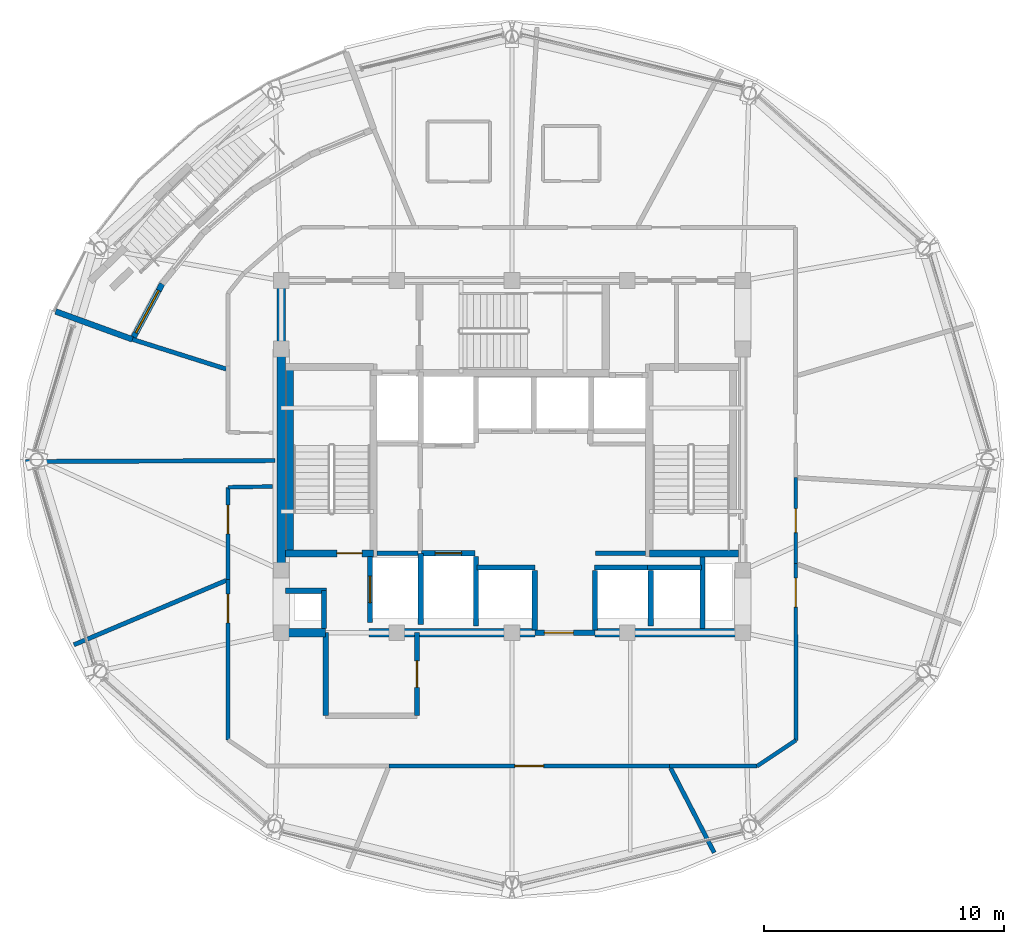
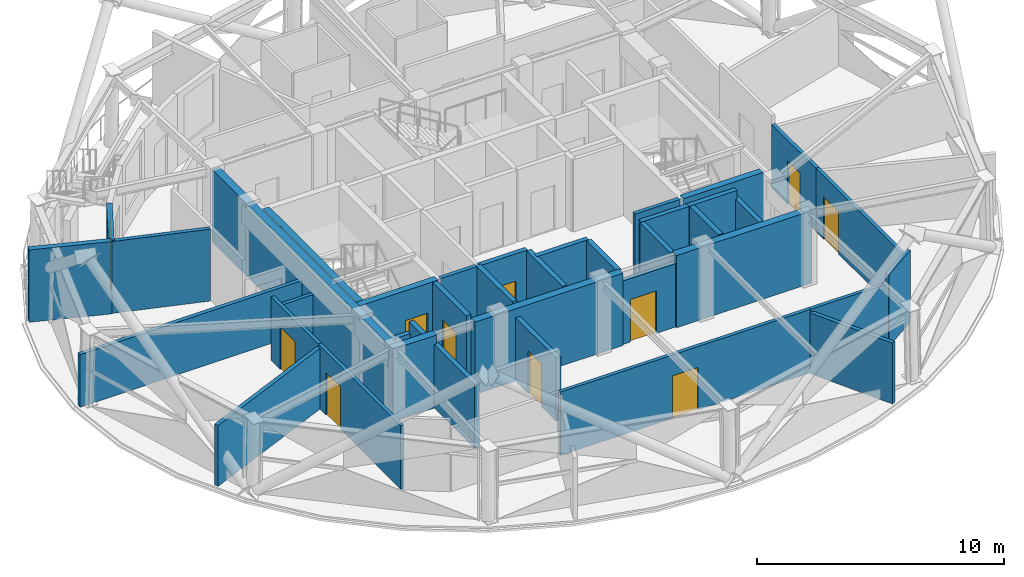
# One storey, part 8 of 16: 39 walls, 10 doors, 1 window, 11 openings.
"""IFC4 building model written with IfcOpenShell, lengths in metres."""

from ifc_helpers import new_model, si_unit, direction, frame, frame_2d, origin, place, context, subcontext, project, spatial, rectangle, extrude, material, layer, layer_set, type_object, element, fill, save


model = new_model("IFC4")

# Units and contexts
model_context = context("Model", 3, precision=1e-05, world=origin(), true_north=direction((0.0, 1.0)))
body_context = subcontext(model_context, "Body", "Model", "MODEL_VIEW")
ifc_project = project(units=[si_unit("LENGTHUNIT", "METRE"), si_unit("AREAUNIT", "SQUARE_METRE"), si_unit("VOLUMEUNIT", "CUBIC_METRE"), si_unit("PLANEANGLEUNIT", "RADIAN"), si_unit("MASSUNIT", "GRAM", prefix="KILO")], contexts=[model_context])

# Site, building, storey
site_placement = place(None, origin())
site = spatial("IfcSite", under=ifc_project, at=site_placement, CompositionType="ELEMENT")
building_placement = place(site_placement, origin())
building = spatial("IfcBuilding", under=site, at=building_placement, Name="Vantalir Tower", CompositionType="ELEMENT")
storey_placement = place(building_placement, frame((0.0, 0.0, 267.60009765625)))
storey = spatial("IfcBuildingStorey", under=building, at=storey_placement, Name="L67", CompositionType="ELEMENT", Elevation=267.60009765625)

# Walls
ifc_material_1 = material(Name="Concrete C50/60", Category="concrete")
ifc_layer_1 = layer(ifc_material_1, 0.35009765625)
ifc_layer_set_1 = layer_set([ifc_layer_1], Name="Concrete C50/60")
wall_type_1 = type_object("IfcWallType", Name="WL-CORE-350", PredefinedType="SHEAR", material=ifc_layer_set_1)
wall_1_placement = place(storey_placement, frame((21.72509765625, 17.800048828125, 0.0), z_axis=(0.0, 0.0, 1.0), x_axis=(1.0, 0.0, 0.0)))
element("IfcWall", 1, at=wall_1_placement, inside=storey, type_object=wall_type_1, Name="L67 Core Shear Wall South-West", PredefinedType="SHEAR", context=body_context, shape_type="SweptSolid", body=[
    extrude(rectangle(XDim=2.02490234375, YDim=0.35009765625, at=frame_2d((1.012451171875, 0.0))), origin(), (0.0, 0.0, 1.0), 3.56982421875),
])
wall_2_placement = place(storey_placement, frame((25.550048828125, 17.800048828125, 0.0), z_axis=(0.0, 0.0, 1.0), x_axis=(1.0, 0.0, 0.0)))
element("IfcWall", 2, at=wall_2_placement, inside=storey, type_object=wall_type_1, Name="L67 Core Shear Wall South-Mid", PredefinedType="SHEAR", context=body_context, shape_type="SweptSolid", body=[
    extrude(rectangle(XDim=6.89990234375, YDim=0.35009765625, at=frame_2d((3.449951171875, 0.0))), origin(), (0.0, 0.0, 1.0), 3.56982421875),
])
wall_3_placement = place(storey_placement, frame((34.949951171875, 17.800048828125, 0.0), z_axis=(0.0, 0.0, 1.0), x_axis=(1.0, 0.0, 0.0)))
element("IfcWall", 3, at=wall_3_placement, inside=storey, type_object=wall_type_1, Name="L67 Core Shear Wall South-East", PredefinedType="SHEAR", context=body_context, shape_type="SweptSolid", body=[
    extrude(rectangle(XDim=6.324951171875, YDim=0.35009765625, at=frame_2d((3.16259765625, 0.0))), origin(), (0.0, 0.0, 1.0), 3.56982421875),
])
wall_4_placement = place(storey_placement, frame((21.89990234375, 17.97509765625, 0.0), z_axis=(0.0, 0.0, 1.0), x_axis=(0.0, 1.0, 0.0)))
element("IfcWall", 4, at=wall_4_placement, inside=storey, type_object=wall_type_1, Name="L67 Core Shear Wall West", PredefinedType="SHEAR", context=body_context, shape_type="SweptSolid", body=[
    extrude(rectangle(XDim=14.2998046875, YDim=0.35009765625, at=frame_2d((7.14990234375, 0.0))), origin(), (0.0, 0.0, 1.0), 3.56982421875),
])

# Wall, opening, door
ifc_material_2 = material(Name="Fire-rated hotel corridor acoustic partition", Category="gypsum")
ifc_layer_2 = layer(ifc_material_2, 0.159912109375)
ifc_layer_set_2 = layer_set([ifc_layer_2], Name="Fire-rated hotel corridor acoustic partition")
wall_type_2 = type_object("IfcWallType", Name="WL-CORR-160", PredefinedType="PARTITIONING", material=ifc_layer_set_2)
wall_5_placement = place(storey_placement, frame((43.301025390625, 24.251953125, 0.0), z_axis=(0.0, 0.0, 1.0), x_axis=(0.000819280124, -0.99999966439, 0.0)))
wall_5 = element("IfcWall", 5, at=wall_5_placement, inside=storey, type_object=wall_type_2, Name="L67 Corridor Partition 13", PredefinedType="PARTITIONING", context=body_context, shape_type="SweptSolid", body=[
    extrude(rectangle(XDim=3.575927734375, YDim=0.159912109375, at=frame_2d((1.7880859375, 0.0))), origin(), (0.0, 0.0, 1.0), 3.1318359375),
])
opening_1_placement = place(wall_5_placement, frame((1.2880859375, 0.0, 0.0)))
opening_1 = element("IfcOpeningElement", 6, at=opening_1_placement, cuts=wall_5, Name="Opening D-GUEST", PredefinedType="OPENING", context=body_context, shape_type="SweptSolid", body=[
    extrude(rectangle(XDim=1.0, YDim=2.10009765625, at=frame_2d((0.5, 1.050048828125))), frame((0.0, 0.08984375, 0.0), z_axis=(0.0, -1.0, 0.0), x_axis=(1.0, 0.0, 0.0)), (0.0, 0.0, 1.0), 0.179931640625),
])
ifc_material_3 = material(Name="Solid-core teak veneer acoustic fire door", Category="wood")
door_type_1 = type_object("IfcDoorType", Name="DR-GUEST-ENTRY-1000", OperationType="NOTDEFINED", PredefinedType="DOOR", material=ifc_material_3)
door_1_placement = place(opening_1_placement, origin())
door_1 = element("IfcDoor", 7, at=door_1_placement, inside=storey, type_object=door_type_1, Name="L67 Executive Business Study 10 Door", OperationType="SINGLE_SWING_RIGHT", OverallHeight=2.10009765625, OverallWidth=1.0, PredefinedType="DOOR", context=body_context, shape_type="SweptSolid", body=[
    extrude(rectangle(XDim=1.0, YDim=2.10009765625, at=frame_2d((0.5, 1.050048828125))), frame((0.0, 0.02490234375, 0.0), z_axis=(0.0, -1.0, 0.0), x_axis=(1.0, 0.0, 0.0)), (0.0, 0.0, 1.0), 0.050048828125),
])
fill(opening_1, door_1)

wall_6_placement = place(storey_placement, frame((43.303955078125, 20.676025390625, 0.0), z_axis=(0.0, 0.0, 1.0), x_axis=(0.00069744254, -0.999999756787, 0.0)))
wall_6 = element("IfcWall", 8, at=wall_6_placement, inside=storey, type_object=wall_type_2, Name="L67 Corridor Partition 14", PredefinedType="PARTITIONING", context=body_context, shape_type="SweptSolid", body=[
    extrude(rectangle(XDim=7.35107421875, YDim=0.159912109375, at=frame_2d((3.675537109375, 0.0))), origin(), (0.0, 0.0, 1.0), 3.1318359375),
])
opening_2_placement = place(wall_6_placement, frame((0.60888671875, 0.0, 0.0)))
opening_2 = element("IfcOpeningElement", 9, at=opening_2_placement, cuts=wall_6, Name="Opening D-STE", PredefinedType="OPENING", context=body_context, shape_type="SweptSolid", body=[
    extrude(rectangle(XDim=1.199951171875, YDim=2.10009765625, at=frame_2d((0.60009765625, 1.050048828125))), frame((0.0, 0.08984375, 0.0), z_axis=(0.0, -1.0, 0.0), x_axis=(1.0, 0.0, 0.0)), (0.0, 0.0, 1.0), 0.179931640625),
])
ifc_material_4 = material(Name="Solid-core teak veneer suite entrance door", Category="wood")
door_type_2 = type_object("IfcDoorType", Name="DR-SUITE-ENTRY-1200", OperationType="NOTDEFINED", PredefinedType="DOOR", material=ifc_material_4)
door_2_placement = place(opening_2_placement, origin())
door_2 = element("IfcDoor", 10, at=door_2_placement, inside=storey, type_object=door_type_2, Name="L67 Club Reading Lounge 09 Door", OperationType="SINGLE_SWING_LEFT", OverallHeight=2.10009765625, OverallWidth=1.199951171875, PredefinedType="DOOR", context=body_context, shape_type="SweptSolid", body=[
    extrude(rectangle(XDim=1.199951171875, YDim=2.10009765625, at=frame_2d((0.60009765625, 1.050048828125))), frame((0.0, 0.02490234375, 0.0), z_axis=(0.0, -1.0, 0.0), x_axis=(1.0, 0.0, 0.0)), (0.0, 0.0, 1.0), 0.050048828125),
])
fill(opening_2, door_2)

# Walls
wall_7_placement = place(storey_placement, frame((43.30908203125, 13.324951171875, 0.0), z_axis=(0.0, 0.0, 1.0), x_axis=(-0.833111704993, -0.553104770368, 0.0)))
element("IfcWall", 11, at=wall_7_placement, inside=storey, type_object=wall_type_2, Name="L67 Corridor Partition 15", PredefinedType="PARTITIONING", context=body_context, shape_type="SweptSolid", body=[
    extrude(rectangle(XDim=1.943603515625, YDim=0.159912109375, at=frame_2d((0.9716796875, 0.0))), origin(), (0.0, 0.0, 1.0), 3.5498046875),
])
wall_8_placement = place(storey_placement, frame((41.68994140625, 12.25, 0.0), z_axis=(0.0, 0.0, 1.0), x_axis=(-0.999999963874, 0.00026879913, 0.0)))
element("IfcWall", 12, at=wall_8_placement, inside=storey, type_object=wall_type_2, Name="L67 Corridor Partition 16", PredefinedType="PARTITIONING", context=body_context, shape_type="SweptSolid", body=[
    extrude(rectangle(XDim=3.633056640625, YDim=0.159912109375, at=frame_2d((1.81640625, 0.0))), origin(), (0.0, 0.0, 1.0), 3.1318359375),
])

# Wall, opening, door
wall_9_placement = place(storey_placement, frame((38.056884765625, 12.2509765625, 0.0), z_axis=(0.0, 0.0, 1.0), x_axis=(-0.999999944016, 0.000334616009, 0.0)))
wall_9 = element("IfcWall", 13, at=wall_9_placement, inside=storey, type_object=wall_type_2, Name="L67 Corridor Partition 17", PredefinedType="PARTITIONING", context=body_context, shape_type="SweptSolid", body=[
    extrude(rectangle(XDim=11.673828125, YDim=0.159912109375, at=frame_2d((5.8369140625, 0.0))), origin(), (0.0, 0.0, 1.0), 3.1318359375),
])
opening_3_placement = place(wall_9_placement, frame((5.237060546875, 0.0, 0.0)))
opening_3 = element("IfcOpeningElement", 14, at=opening_3_placement, cuts=wall_9, Name="Opening D-STE", PredefinedType="OPENING", context=body_context, shape_type="SweptSolid", body=[
    extrude(rectangle(XDim=1.199951171875, YDim=2.10009765625, at=frame_2d((0.60009765625, 1.050048828125))), frame((0.0, 0.08984375, 0.0), z_axis=(0.0, -1.0, 0.0), x_axis=(1.0, 0.0, 0.0)), (0.0, 0.0, 1.0), 0.179931640625),
])
door_3_placement = place(opening_3_placement, origin())
door_3 = element("IfcDoor", 15, at=door_3_placement, inside=storey, type_object=door_type_2, Name="L67 Executive Sky Boardroom 08 Door", OperationType="SINGLE_SWING_RIGHT", OverallHeight=2.10009765625, OverallWidth=1.199951171875, PredefinedType="DOOR", context=body_context, shape_type="SweptSolid", body=[
    extrude(rectangle(XDim=1.199951171875, YDim=2.10009765625, at=frame_2d((0.60009765625, 1.050048828125))), frame((0.0, 0.02490234375, 0.0), z_axis=(0.0, -1.0, 0.0), x_axis=(1.0, 0.0, 0.0)), (0.0, 0.0, 1.0), 0.050048828125),
])
fill(opening_3, door_3)

wall_10_placement = place(storey_placement, frame((19.68505859375, 13.343017578125, 0.0), z_axis=(0.0, 0.0, 1.0), x_axis=(0.0, 1.0, 0.0)))
wall_10 = element("IfcWall", 16, at=wall_10_placement, inside=storey, type_object=wall_type_2, Name="L67 Corridor Partition 20", PredefinedType="PARTITIONING", context=body_context, shape_type="SweptSolid", body=[
    extrude(rectangle(XDim=6.661865234375, YDim=0.159912109375, at=frame_2d((3.3310546875, 0.0))), origin(), (0.0, 0.0, 1.0), 3.1318359375),
])
opening_4_placement = place(wall_10_placement, frame((4.861083984375, 0.0, 0.0)))
opening_4 = element("IfcOpeningElement", 17, at=opening_4_placement, cuts=wall_10, Name="Opening D-STE", PredefinedType="OPENING", context=body_context, shape_type="SweptSolid", body=[
    extrude(rectangle(XDim=1.199951171875, YDim=2.10009765625, at=frame_2d((0.60009765625, 1.050048828125))), frame((0.0, 0.08984375, 0.0), z_axis=(0.0, -1.0, 0.0), x_axis=(1.0, 0.0, 0.0)), (0.0, 0.0, 1.0), 0.179931640625),
])
door_4_placement = place(opening_4_placement, origin())
door_4 = element("IfcDoor", 18, at=door_4_placement, inside=storey, type_object=door_type_2, Name="L67 Club Reading Lounge 07 Door", OperationType="SINGLE_SWING_LEFT", OverallHeight=2.10009765625, OverallWidth=1.199951171875, PredefinedType="DOOR", context=body_context, shape_type="SweptSolid", body=[
    extrude(rectangle(XDim=1.199951171875, YDim=2.10009765625, at=frame_2d((0.60009765625, 1.050048828125))), frame((0.0, 0.02490234375, 0.0), z_axis=(0.0, -1.0, 0.0), x_axis=(1.0, 0.0, 0.0)), (0.0, 0.0, 1.0), 0.050048828125),
])
fill(opening_4, door_4)

wall_11_placement = place(storey_placement, frame((19.68505859375, 20.0048828125, 0.0), z_axis=(0.0, 0.0, 1.0), x_axis=(0.0, 1.0, 0.0)))
wall_11 = element("IfcWall", 19, at=wall_11_placement, inside=storey, type_object=wall_type_2, Name="L67 Corridor Partition 21", PredefinedType="PARTITIONING", context=body_context, shape_type="SweptSolid", body=[
    extrude(rectangle(XDim=3.84521484375, YDim=0.159912109375, at=frame_2d((1.922607421875, 0.0))), origin(), (0.0, 0.0, 1.0), 3.1318359375),
])
opening_5_placement = place(wall_11_placement, frame((1.904052734375, 0.0, 0.0)))
opening_5 = element("IfcOpeningElement", 20, at=opening_5_placement, cuts=wall_11, Name="Opening D-STE", PredefinedType="OPENING", context=body_context, shape_type="SweptSolid", body=[
    extrude(rectangle(XDim=1.199951171875, YDim=2.10009765625, at=frame_2d((0.60009765625, 1.050048828125))), frame((0.0, 0.08984375, 0.0), z_axis=(0.0, -1.0, 0.0), x_axis=(1.0, 0.0, 0.0)), (0.0, 0.0, 1.0), 0.179931640625),
])
door_5_placement = place(opening_5_placement, origin())
door_5 = element("IfcDoor", 21, at=door_5_placement, inside=storey, type_object=door_type_2, Name="L67 Club Reading Lounge 06 Door", OperationType="SINGLE_SWING_RIGHT", OverallHeight=2.10009765625, OverallWidth=1.199951171875, PredefinedType="DOOR", context=body_context, shape_type="SweptSolid", body=[
    extrude(rectangle(XDim=1.199951171875, YDim=2.10009765625, at=frame_2d((0.60009765625, 1.050048828125))), frame((0.0, 0.02490234375, 0.0), z_axis=(0.0, -1.0, 0.0), x_axis=(1.0, 0.0, 0.0)), (0.0, 0.0, 1.0), 0.050048828125),
])
fill(opening_5, door_5)

# Walls
wall_12_placement = place(storey_placement, frame((19.68505859375, 23.85009765625, 0.0), z_axis=(0.0, 0.0, 1.0), x_axis=(0.999852179606, 0.017193572529, 0.0)))
element("IfcWall", 22, at=wall_12_placement, inside=storey, type_object=wall_type_2, Name="L67 Corridor Partition 22", PredefinedType="PARTITIONING", context=body_context, shape_type="SweptSolid", body=[
    extrude(rectangle(XDim=1.860107421875, YDim=0.159912109375, at=frame_2d((0.93017578125, 0.0))), origin(), (0.0, 0.0, 1.0), 2.594970703125),
])
ifc_material_5 = material(Name="Precast concrete C40/50 insulated sky-garden wall", Category="concrete")
ifc_layer_3 = layer(ifc_material_5, 0.239990234375)
ifc_layer_set_3 = layer_set([ifc_layer_3], Name="Precast concrete C40/50 insulated sky-garden wall")
wall_type_3 = type_object("IfcWallType", Name="WL-EXT-SG-240", PredefinedType="SOLIDWALL", material=ifc_layer_set_3)
wall_13_placement = place(storey_placement, frame((15.712890625, 30.0009765625, 0.0), z_axis=(0.0, 0.0, 1.0), x_axis=(-0.93966756638, 0.342088971896, 0.0)))
element("IfcWall", 23, at=wall_13_placement, inside=storey, type_object=wall_type_3, Name="L67 SG4 Sky-Garden Return Wall B", PredefinedType="SOLIDWALL", context=body_context, shape_type="SweptSolid", body=[
    extrude(rectangle(XDim=3.39990234375, YDim=0.239990234375, at=frame_2d((1.699951171875, 0.0))), origin(), (0.0, 0.0, 1.0), 3.56982421875),
])

# Wall, opening, window
wall_14_placement = place(storey_placement, frame((16.950927734375, 32.31005859375, 0.0), z_axis=(0.0, 0.0, 1.0), x_axis=(-0.472526511788, -0.881316456023, 0.0)))
wall_14 = element("IfcWall", 24, at=wall_14_placement, inside=storey, type_object=wall_type_3, Name="L67 SG4 Sky-Garden Lounge Wall 5", PredefinedType="SOLIDWALL", context=body_context, shape_type="SweptSolid", body=[
    extrude(rectangle(XDim=2.6201171875, YDim=0.239990234375, at=frame_2d((1.31005859375, 0.0))), origin(), (0.0, 0.0, 1.0), 3.56982421875),
])
opening_6_placement = place(wall_14_placement, frame((0.31005859375, 0.0, 0.85009765625)))
opening_6 = element("IfcOpeningElement", 25, at=opening_6_placement, cuts=wall_14, Name="Opening WN-3", PredefinedType="OPENING", context=body_context, shape_type="SweptSolid", body=[
    extrude(rectangle(XDim=2.0, YDim=2.39990234375, at=frame_2d((1.0, 1.199951171875))), frame((0.0, 0.1298828125, 0.0), z_axis=(0.0, -1.0, 0.0), x_axis=(1.0, 0.0, 0.0)), (0.0, 0.0, 1.0), 0.260009765625),
])
ifc_material_6 = material(Name="Double-silver Low-E sky-garden lounge window", Category="glass")
window_type = type_object("IfcWindowType", Name="WIN-SG-2000x2400", PartitioningType="SINGLE_PANEL", PredefinedType="WINDOW", material=ifc_material_6)
window_placement = place(opening_6_placement, origin())
window = element("IfcWindow", 26, at=window_placement, inside=storey, type_object=window_type, Name="L67 SG4 Sky-Garden Window 5", OverallHeight=2.39990234375, OverallWidth=2.0, PartitioningType="SINGLE_PANEL", PredefinedType="WINDOW", context=body_context, shape_type="SweptSolid", body=[
    extrude(rectangle(XDim=2.0, YDim=2.39990234375, at=frame_2d((1.0, 1.199951171875))), frame((0.0, 0.030029296875, 0.0), z_axis=(0.0, -1.0, 0.0), x_axis=(1.0, 0.0, 0.0)), (0.0, 0.0, 1.0), 0.06005859375),
])
fill(opening_6, window)

# Walls
ifc_material_7 = material(Name="Concrete blockwork with fireboard lining", Category="masonry")
ifc_layer_4 = layer(ifc_material_7, 0.219970703125)
ifc_layer_set_4 = layer_set([ifc_layer_4], Name="Concrete blockwork with fireboard lining")
wall_type_4 = type_object("IfcWallType", Name="WL-FFL-220", PredefinedType="PARTITIONING", material=ifc_layer_set_4)
wall_15_placement = place(storey_placement, frame((30.0, 18.080078125, 0.0), z_axis=(0.0, 0.0, 1.0), x_axis=(0.0, 1.0, 0.0)))
element("IfcWall", 27, at=wall_15_placement, inside=storey, type_object=wall_type_4, Name="L67 Service Lift SV1 East Shaft Wall", PredefinedType="PARTITIONING", context=body_context, shape_type="SweptSolid", body=[
    extrude(rectangle(XDim=2.89990234375, YDim=0.219970703125, at=frame_2d((1.449951171875, 0.0))), origin(), (0.0, 0.0, 1.0), 3.544921875),
])
for number, where, z_axis, x_axis, name in (
    (28, (32.449951171875, 17.919921875, 0.0), (0.0, 0.0, 1.0), (0.0, 1.0, 0.0), "L67 Shuttle Lift PL-X1 East Shaft Cheek"),
    (29, (34.949951171875, 17.919921875, 0.0), (0.0, 0.0, 1.0), (0.0, 1.0, 0.0), "L67 Shuttle Lift PL-X3 West Shaft Cheek"),
):
    element("IfcWall", number, at=place(storey_placement, frame(where, z_axis=z_axis, x_axis=x_axis)), inside=storey, type_object=wall_type_4, Name=name, PredefinedType="PARTITIONING", context=body_context, shape_type="SweptSolid", body=[
        extrude(rectangle(XDim=2.469970703125, YDim=0.219970703125, at=frame_2d((1.23486328125, 0.0))), origin(), (0.0, 0.0, 1.0), 3.544921875),
    ])
wall_16_placement = place(storey_placement, frame((37.27490234375, 18.080078125, 0.0), z_axis=(0.0, 0.0, 1.0), x_axis=(0.0, 1.0, 0.0)))
element("IfcWall", 30, at=wall_16_placement, inside=storey, type_object=wall_type_4, Name="L67 Shuttle Lift PL-X2/X3 Shaft Divider", PredefinedType="PARTITIONING", context=body_context, shape_type="SweptSolid", body=[
    extrude(rectangle(XDim=2.309814453125, YDim=0.219970703125, at=frame_2d((1.15478515625, 0.0))), origin(), (0.0, 0.0, 1.0), 3.544921875),
])

# Wall, opening, door
wall_17_placement = place(storey_placement, frame((32.449951171875, 17.800048828125, 0.0), z_axis=(0.0, 0.0, 1.0), x_axis=(1.0, 0.0, 0.0)))
wall_17 = element("IfcWall", 31, at=wall_17_placement, inside=storey, type_object=wall_type_4, Name="L67 Passenger Lift Lobby South Wall", PredefinedType="PARTITIONING", context=body_context, shape_type="SweptSolid", body=[
    extrude(rectangle(XDim=2.5, YDim=0.219970703125, at=frame_2d((1.25, 0.0))), origin(), (0.0, 0.0, 1.0), 3.1318359375),
])
opening_7_placement = place(wall_17_placement, frame((0.39990234375, 0.0, 0.0)))
opening_7 = element("IfcOpeningElement", 32, at=opening_7_placement, cuts=wall_17, Name="Opening D-STE", PredefinedType="OPENING", context=body_context, shape_type="SweptSolid", body=[
    extrude(rectangle(XDim=1.199951171875, YDim=2.10009765625, at=frame_2d((0.60009765625, 1.050048828125))), frame((0.0, 0.119873046875, 0.0), z_axis=(0.0, -1.0, 0.0), x_axis=(1.0, 0.0, 0.0)), (0.0, 0.0, 1.0), 0.239990234375),
])
door_6_placement = place(opening_7_placement, origin())
door_6 = element("IfcDoor", 33, at=door_6_placement, inside=storey, type_object=door_type_2, Name="L67 Passenger Lift Lobby Concourse Door", OperationType="SINGLE_SWING_RIGHT", OverallHeight=2.10009765625, OverallWidth=1.199951171875, PredefinedType="DOOR", context=body_context, shape_type="SweptSolid", body=[
    extrude(rectangle(XDim=1.199951171875, YDim=2.10009765625, at=frame_2d((0.60009765625, 1.050048828125))), frame((0.0, 0.02490234375, 0.0), z_axis=(0.0, -1.0, 0.0), x_axis=(1.0, 0.0, 0.0)), (0.0, 0.0, 1.0), 0.050048828125),
])
fill(opening_7, door_6)

# Walls
wall_18_placement = place(storey_placement, frame((23.679931640625, 17.97509765625, 0.0), z_axis=(0.0, 0.0, 1.0), x_axis=(0.0, 1.0, 0.0)))
element("IfcWall", 34, at=wall_18_placement, inside=storey, type_object=wall_type_4, Name="L67 West MEP Riser Wall E", PredefinedType="PARTITIONING", context=body_context, shape_type="SweptSolid", body=[
    extrude(rectangle(XDim=1.574951171875, YDim=0.219970703125, at=frame_2d((0.78759765625, 0.0))), origin(), (0.0, 0.0, 1.0), 3.1318359375),
])
wall_19_placement = place(storey_placement, frame((22.074951171875, 19.550048828125, 0.0), z_axis=(0.0, 0.0, 1.0), x_axis=(1.0, 0.0, 0.0)))
element("IfcWall", 35, at=wall_19_placement, inside=storey, type_object=wall_type_4, Name="L67 West MEP Riser Wall N", PredefinedType="PARTITIONING", context=body_context, shape_type="SweptSolid", body=[
    extrude(rectangle(XDim=1.715087890625, YDim=0.219970703125, at=frame_2d((0.857421875, 0.0))), origin(), (0.0, 0.0, 1.0), 2.594970703125),
])
wall_20_placement = place(storey_placement, frame((39.419921875, 17.97509765625, 0.0), z_axis=(0.0, 0.0, 1.0), x_axis=(0.0, 1.0, 0.0)))
element("IfcWall", 36, at=wall_20_placement, inside=storey, type_object=wall_type_4, Name="L67 East MEP Riser Wall W", PredefinedType="PARTITIONING", context=body_context, shape_type="SweptSolid", body=[
    extrude(rectangle(XDim=2.974853515625, YDim=0.219970703125, at=frame_2d((1.4873046875, 0.0))), origin(), (0.0, 0.0, 1.0), 3.1318359375),
])

# Wall, opening, door
wall_21_placement = place(storey_placement, frame((25.590087890625, 18.219970703125, 0.0), z_axis=(0.0, 0.0, 1.0), x_axis=(0.0, 1.0, 0.0)))
wall_21 = element("IfcWall", 37, at=wall_21_placement, inside=storey, type_object=wall_type_4, Name="L67 Lift FL1 Shaft Front Wall", PredefinedType="PARTITIONING", context=body_context, shape_type="SweptSolid", body=[
    extrude(rectangle(XDim=2.760009765625, YDim=0.219970703125, at=frame_2d((1.3798828125, 0.0))), origin(), (0.0, 0.0, 1.0), 3.5498046875),
])
opening_8_placement = place(wall_21_placement, frame((0.830078125, 0.0, 0.0)))
opening_8 = element("IfcOpeningElement", 38, at=opening_8_placement, cuts=wall_21, Name="Opening LD-FL1", PredefinedType="OPENING", context=body_context, shape_type="SweptSolid", body=[
    extrude(rectangle(XDim=1.10009765625, YDim=2.199951171875, at=frame_2d((0.550048828125, 1.10009765625))), frame((0.0, 0.119873046875, 0.0), z_axis=(0.0, -1.0, 0.0), x_axis=(1.0, 0.0, 0.0)), (0.0, 0.0, 1.0), 0.239990234375),
])
ifc_material_8 = material(Name="Brushed stainless-steel sliding lift landing door", Category="steel")
door_type_3 = type_object("IfcDoorType", Name="DR-LIFT-LANDING-1100", OperationType="DOUBLE_DOOR_SLIDING", PredefinedType="DOOR", material=ifc_material_8)
door_7_placement = place(opening_8_placement, origin())
door_7 = element("IfcDoor", 39, at=door_7_placement, inside=storey, type_object=door_type_3, Name="L67 Lift Landing Door FL1", OperationType="DOUBLE_DOOR_SLIDING", OverallHeight=2.199951171875, OverallWidth=1.10009765625, PredefinedType="DOOR", context=body_context, shape_type="SweptSolid", body=[
    extrude(rectangle(XDim=1.10009765625, YDim=2.199951171875, at=frame_2d((0.550048828125, 1.10009765625))), frame((0.0, 0.02490234375, 0.0), z_axis=(0.0, -1.0, 0.0), x_axis=(1.0, 0.0, 0.0)), (0.0, 0.0, 1.0), 0.050048828125),
])
fill(opening_8, door_7)

wall_22_placement = place(storey_placement, frame((27.739990234375, 21.110107421875, 0.0), z_axis=(0.0, 0.0, 1.0), x_axis=(1.0, 0.0, 0.0)))
wall_22 = element("IfcWall", 40, at=wall_22_placement, inside=storey, type_object=wall_type_4, Name="L67 Lift SV1 Shaft Front Wall", PredefinedType="PARTITIONING", context=body_context, shape_type="SweptSolid", body=[
    extrude(rectangle(XDim=2.219970703125, YDim=0.219970703125, at=frame_2d((1.10986328125, 0.0))), origin(), (0.0, 0.0, 1.0), 3.5498046875),
])
opening_9_placement = place(wall_22_placement, frame((0.56005859375, 0.0, 0.0)))
opening_9 = element("IfcOpeningElement", 41, at=opening_9_placement, cuts=wall_22, Name="Opening LD-SV1", PredefinedType="OPENING", context=body_context, shape_type="SweptSolid", body=[
    extrude(rectangle(XDim=1.10009765625, YDim=2.199951171875, at=frame_2d((0.550048828125, 1.10009765625))), frame((0.0, 0.119873046875, 0.0), z_axis=(0.0, -1.0, 0.0), x_axis=(1.0, 0.0, 0.0)), (0.0, 0.0, 1.0), 0.239990234375),
])
door_8_placement = place(opening_9_placement, origin())
door_8 = element("IfcDoor", 42, at=door_8_placement, inside=storey, type_object=door_type_3, Name="L67 Lift Landing Door SV1", OperationType="DOUBLE_DOOR_SLIDING", OverallHeight=2.199951171875, OverallWidth=1.10009765625, PredefinedType="DOOR", context=body_context, shape_type="SweptSolid", body=[
    extrude(rectangle(XDim=1.10009765625, YDim=2.199951171875, at=frame_2d((0.550048828125, 1.10009765625))), frame((0.0, 0.02490234375, 0.0), z_axis=(0.0, -1.0, 0.0), x_axis=(1.0, 0.0, 0.0)), (0.0, 0.0, 1.0), 0.050048828125),
])
fill(opening_9, door_8)

# Walls
wall_23_placement = place(storey_placement, frame((30.0400390625, 20.510009765625, 0.0), z_axis=(0.0, 0.0, 1.0), x_axis=(1.0, 0.0, 0.0)))
element("IfcWall", 43, at=wall_23_placement, inside=storey, type_object=wall_type_4, Name="L67 Lift PL-X1 Shaft Front Wall", PredefinedType="PARTITIONING", context=body_context, shape_type="SweptSolid", body=[
    extrude(rectangle(XDim=2.419921875, YDim=0.219970703125, at=frame_2d((1.2099609375, 0.0))), origin(), (0.0, 0.0, 1.0), 3.5498046875),
])
for number, where, z_axis, x_axis, name in (
    (44, (37.139892578125, 20.510009765625, 0.0), (0.0, 0.0, 1.0), (1.0, 0.0, 0.0), "L67 Lift PL-X2 Shaft Rear Wall"),
    (45, (34.93994140625, 20.510009765625, 0.0), (0.0, 0.0, 1.0), (1.0, 0.0, 0.0), "L67 Lift PL-X3 Shaft Front Wall"),
):
    element("IfcWall", number, at=place(storey_placement, frame(where, z_axis=z_axis, x_axis=x_axis)), inside=storey, type_object=wall_type_4, Name=name, PredefinedType="PARTITIONING", context=body_context, shape_type="SweptSolid", body=[
        extrude(rectangle(XDim=2.239990234375, YDim=0.219970703125, at=frame_2d((1.1201171875, 0.0))), origin(), (0.0, 0.0, 1.0), 3.5498046875),
    ])
wall_24_placement = place(storey_placement, frame((27.699951171875, 18.14990234375, 0.0), z_axis=(0.0, 0.0, 1.0), x_axis=(0.0, 1.0, 0.0)))
element("IfcWall", 46, at=wall_24_placement, inside=storey, type_object=wall_type_4, Name="L67 Fire Lift FL1 Dividing Wall", PredefinedType="PARTITIONING", context=body_context, shape_type="SweptSolid", body=[
    extrude(rectangle(XDim=2.9501953125, YDim=0.219970703125, at=frame_2d((1.47509765625, 0.0))), origin(), (0.0, 0.0, 1.0), 3.5498046875),
])
wall_25_placement = place(storey_placement, frame((23.75, 14.35009765625, 0.0), z_axis=(0.0, 0.0, 1.0), x_axis=(0.0, 1.0, 0.0)))
element("IfcWall", 47, at=wall_25_placement, inside=storey, type_object=wall_type_4, Name="L67 Firefighting Lobby West Outer W", PredefinedType="PARTITIONING", context=body_context, shape_type="SweptSolid", body=[
    extrude(rectangle(XDim=3.449951171875, YDim=0.219970703125, at=frame_2d((1.72509765625, 0.0))), origin(), (0.0, 0.0, 1.0), 3.1318359375),
])

# Wall, opening, door
wall_26_placement = place(storey_placement, frame((27.550048828125, 14.35009765625, 0.0), z_axis=(0.0, 0.0, 1.0), x_axis=(0.0, 1.0, 0.0)))
wall_26 = element("IfcWall", 48, at=wall_26_placement, inside=storey, type_object=wall_type_4, Name="L67 Firefighting Lobby West East Wall", PredefinedType="PARTITIONING", context=body_context, shape_type="SweptSolid", body=[
    extrude(rectangle(XDim=3.449951171875, YDim=0.219970703125, at=frame_2d((1.72509765625, 0.0))), origin(), (0.0, 0.0, 1.0), 3.1318359375),
])
opening_10_placement = place(wall_26_placement, frame((1.175048828125, 0.0, 0.0)))
opening_10 = element("IfcOpeningElement", 49, at=opening_10_placement, cuts=wall_26, Name="Opening D-FFL", PredefinedType="OPENING", context=body_context, shape_type="SweptSolid", body=[
    extrude(rectangle(XDim=1.10009765625, YDim=2.10009765625, at=frame_2d((0.550048828125, 1.050048828125))), frame((0.0, 0.119873046875, 0.0), z_axis=(0.0, -1.0, 0.0), x_axis=(1.0, 0.0, 0.0)), (0.0, 0.0, 1.0), 0.239990234375),
])
ifc_material_9 = material(Name="Fire-rated acoustic steel door", Category="steel")
door_type_4 = type_object("IfcDoorType", Name="DR-FIRE-LOBBY-1100", OperationType="NOTDEFINED", PredefinedType="DOOR", material=ifc_material_9)
door_9_placement = place(opening_10_placement, origin())
door_9 = element("IfcDoor", 50, at=door_9_placement, inside=storey, type_object=door_type_4, Name="L67 Firefighting Lobby West Access Door", OperationType="SINGLE_SWING_RIGHT", OverallHeight=2.10009765625, OverallWidth=1.10009765625, PredefinedType="DOOR", context=body_context, shape_type="SweptSolid", body=[
    extrude(rectangle(XDim=1.10009765625, YDim=2.10009765625, at=frame_2d((0.550048828125, 1.050048828125))), frame((0.0, 0.02490234375, 0.0), z_axis=(0.0, -1.0, 0.0), x_axis=(1.0, 0.0, 0.0)), (0.0, 0.0, 1.0), 0.050048828125),
])
fill(opening_10, door_9)

# Walls
ifc_material_10 = material(Name="Twin-stud acoustic fire-rated gypsum partition", Category="gypsum")
ifc_layer_5 = layer(ifc_material_10, 0.179931640625)
ifc_layer_set_5 = layer_set([ifc_layer_5], Name="Twin-stud acoustic fire-rated gypsum partition")
wall_type_5 = type_object("IfcWallType", Name="WL-GUEST-180", PredefinedType="PARTITIONING", material=ifc_layer_set_5)
wall_27_placement = place(storey_placement, frame((25.889892578125, 21.10009765625, 0.0), z_axis=(0.0, 0.0, 1.0), x_axis=(1.0, 0.0, 0.0)))
element("IfcWall", 51, at=wall_27_placement, inside=storey, type_object=wall_type_5, Name="L67 Freed West Core South Wall", PredefinedType="PARTITIONING", context=body_context, shape_type="SweptSolid", body=[
    extrude(rectangle(XDim=1.7001953125, YDim=0.179931640625, at=frame_2d((0.85009765625, 0.0))), origin(), (0.0, 0.0, 1.0), 3.5498046875),
])
wall_28_placement = place(storey_placement, frame((34.97998046875, 21.10009765625, 0.0), z_axis=(0.0, 0.0, 1.0), x_axis=(1.0, 0.0, 0.0)))
element("IfcWall", 52, at=wall_28_placement, inside=storey, type_object=wall_type_5, Name="L67 Freed East Core South Wall", PredefinedType="PARTITIONING", context=body_context, shape_type="SweptSolid", body=[
    extrude(rectangle(XDim=2.080078125, YDim=0.179931640625, at=frame_2d((1.0400390625, 0.0))), origin(), (0.0, 0.0, 1.0), 3.5498046875),
])
wall_29_placement = place(storey_placement, frame((19.610107421875, 28.76708984375, 0.0), z_axis=(0.0, 0.0, 1.0), x_axis=(-0.953358553173, 0.301840138303, 0.0)))
element("IfcWall", 53, at=wall_29_placement, inside=storey, type_object=wall_type_5, Name="L67 Radial Suite Partition 05", PredefinedType="PARTITIONING", context=body_context, shape_type="SweptSolid", body=[
    extrude(rectangle(XDim=4.087890625, YDim=0.179931640625, at=frame_2d((2.0439453125, 0.0))), origin(), (0.0, 0.0, 1.0), 3.5498046875),
])
wall_30_placement = place(storey_placement, frame((21.64990234375, 24.9609375, 0.0), z_axis=(0.0, 0.0, 1.0), x_axis=(-0.999992196036, -0.003950679356, 0.0)))
element("IfcWall", 54, at=wall_30_placement, inside=storey, type_object=wall_type_5, Name="L67 Radial Suite Partition 06", PredefinedType="PARTITIONING", context=body_context, shape_type="SweptSolid", body=[
    extrude(rectangle(XDim=10.3818359375, YDim=0.179931640625, at=frame_2d((5.19091796875, 0.0))), origin(), (0.0, 0.0, 1.0), 2.594970703125),
])
wall_31_placement = place(storey_placement, frame((19.610107421875, 19.972900390625, 0.0), z_axis=(0.0, 0.0, 1.0), x_axis=(-0.921110339411, -0.389301608821, 0.0)))
element("IfcWall", 55, at=wall_31_placement, inside=storey, type_object=wall_type_5, Name="L67 Radial Suite Partition 07", PredefinedType="PARTITIONING", context=body_context, shape_type="SweptSolid", body=[
    extrude(rectangle(XDim=6.873291015625, YDim=0.179931640625, at=frame_2d((3.4365234375, 0.0))), origin(), (0.0, 0.0, 1.0), 3.0029296875),
])
wall_32_placement = place(storey_placement, frame((38.095947265625, 12.175048828125, 0.0), z_axis=(0.0, 0.0, 1.0), x_axis=(0.457548260683, -0.889184789088, 0.0)))
element("IfcWall", 56, at=wall_32_placement, inside=storey, type_object=wall_type_5, Name="L67 Radial Suite Partition 09", PredefinedType="PARTITIONING", context=body_context, shape_type="SweptSolid", body=[
    extrude(rectangle(XDim=3.966552734375, YDim=0.179931640625, at=frame_2d((1.9833984375, 0.0))), origin(), (0.0, 0.0, 1.0), 3.0029296875),
])

# Wall, opening, door
ifc_layer_6 = layer(ifc_material_1, 0.300048828125)
ifc_layer_set_6 = layer_set([ifc_layer_6], Name="Concrete C50/60")
wall_type_6 = type_object("IfcWallType", Name="WL-STAIR-300", PredefinedType="SHEAR", material=ifc_layer_set_6)
wall_33_placement = place(storey_placement, frame((22.074951171875, 21.10009765625, 0.0), z_axis=(0.0, 0.0, 1.0), x_axis=(1.0, 0.0, 0.0)))
wall_33 = element("IfcWall", 57, at=wall_33_placement, inside=storey, type_object=wall_type_6, Name="L67 Stair ST1 South Wall", PredefinedType="SHEAR", context=body_context, shape_type="SweptSolid", body=[
    extrude(rectangle(XDim=3.6650390625, YDim=0.300048828125, at=frame_2d((1.83251953125, 0.0))), origin(), (0.0, 0.0, 1.0), 3.56982421875),
])
opening_11_placement = place(wall_33_placement, frame((2.14501953125, 0.0, 0.0)))
opening_11 = element("IfcOpeningElement", 58, at=opening_11_placement, cuts=wall_33, Name="Opening D-ST", PredefinedType="OPENING", context=body_context, shape_type="SweptSolid", body=[
    extrude(rectangle(XDim=1.050048828125, YDim=2.10009765625, at=frame_2d((0.52490234375, 1.050048828125))), frame((0.0, 0.159912109375, 0.0), z_axis=(0.0, -1.0, 0.0), x_axis=(1.0, 0.0, 0.0)), (0.0, 0.0, 1.0), 0.320068359375),
])
ifc_material_11 = material(Name="Fire-rated steel door leaf", Category="steel")
door_type_5 = type_object("IfcDoorType", Name="DR-FIRE-STAIR-1050", OperationType="NOTDEFINED", PredefinedType="DOOR", material=ifc_material_11)
door_10_placement = place(opening_11_placement, origin())
door_10 = element("IfcDoor", 59, at=door_10_placement, inside=storey, type_object=door_type_5, Name="L67 Exit Stair ST1 Fire Door", OperationType="SINGLE_SWING_RIGHT", OverallHeight=2.10009765625, OverallWidth=1.050048828125, PredefinedType="DOOR", context=body_context, shape_type="SweptSolid", body=[
    extrude(rectangle(XDim=1.050048828125, YDim=2.10009765625, at=frame_2d((0.52490234375, 1.050048828125))), frame((0.0, 0.02490234375, 0.0), z_axis=(0.0, -1.0, 0.0), x_axis=(1.0, 0.0, 0.0)), (0.0, 0.0, 1.0), 0.050048828125),
])
fill(opening_11, door_10)

# Walls
wall_34_placement = place(storey_placement, frame((22.260009765625, 21.10009765625, 0.0), z_axis=(0.0, 0.0, 1.0), x_axis=(0.0, 1.0, 0.0)))
element("IfcWall", 60, at=wall_34_placement, inside=storey, type_object=wall_type_6, Name="L67 Stair ST1 West Liner Wall", PredefinedType="SHEAR", context=body_context, shape_type="SweptSolid", body=[
    extrude(rectangle(XDim=7.75, YDim=0.300048828125, at=frame_2d((3.875, 0.0))), origin(), (0.0, 0.0, 1.0), 3.56982421875),
])
wall_35_placement = place(storey_placement, frame((37.2099609375, 21.10009765625, 0.0), z_axis=(0.0, 0.0, 1.0), x_axis=(1.0, 0.0, 0.0)))
element("IfcWall", 61, at=wall_35_placement, inside=storey, type_object=wall_type_6, Name="L67 Stair ST2 South Wall", PredefinedType="SHEAR", context=body_context, shape_type="SweptSolid", body=[
    extrude(rectangle(XDim=3.715087890625, YDim=0.300048828125, at=frame_2d((1.857421875, 0.0))), origin(), (0.0, 0.0, 1.0), 3.56982421875),
])

save(model, "model.ifc")
